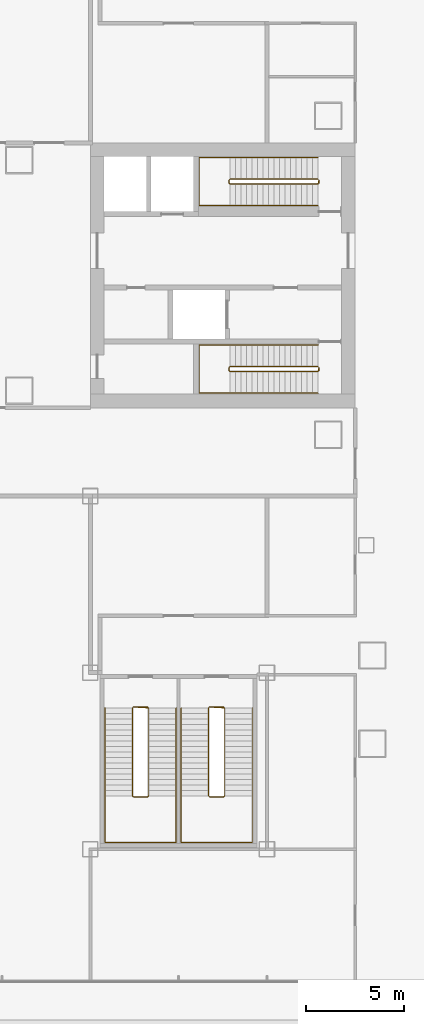
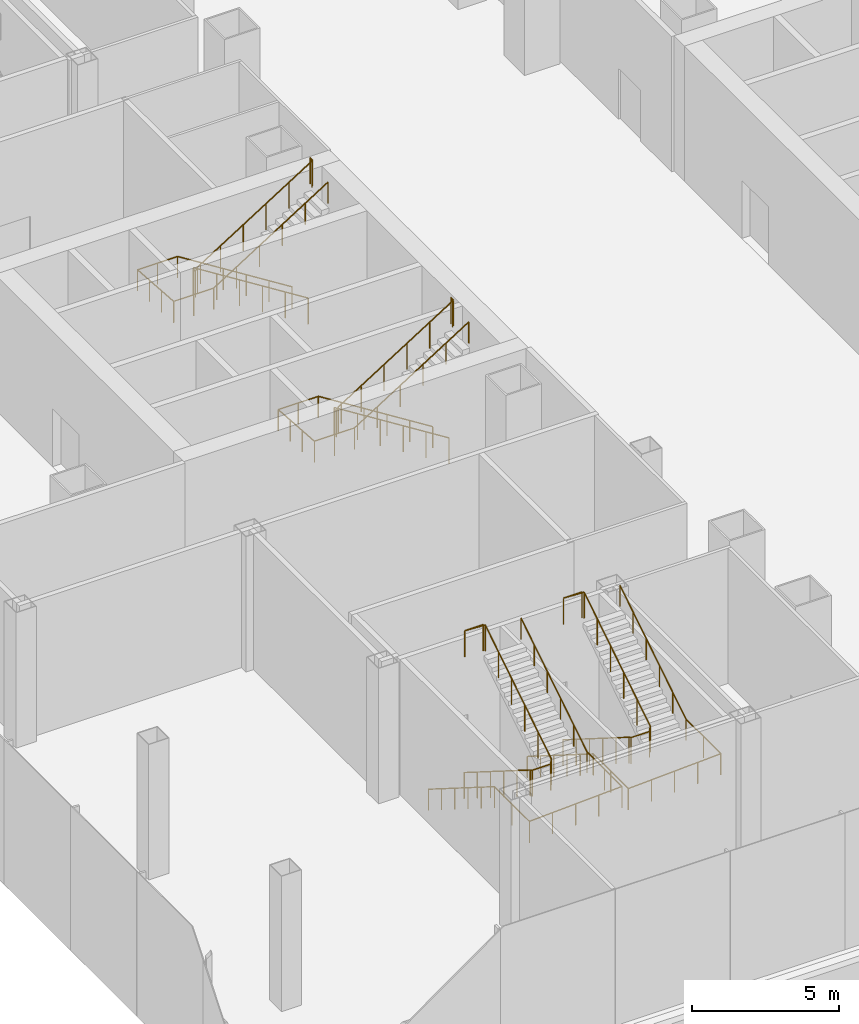
# One storey, part 34 of 38: 8 railings.
"""IFC4 building model written with IfcOpenShell, lengths in metres."""

from ifc_helpers import new_model, si_unit, direction, frame, origin, origin_2d, place, context, subcontext, project, spatial, circle, extrude, material, type_object, element, save


model = new_model("IFC4")

# Units and contexts
model_context = context("Model", 3, precision=1e-05, world=origin(), true_north=direction((0.0, 1.0)))
body_context = subcontext(model_context, "Body", "Model", "MODEL_VIEW")
ifc_project = project(units=[si_unit("LENGTHUNIT", "METRE"), si_unit("AREAUNIT", "SQUARE_METRE"), si_unit("VOLUMEUNIT", "CUBIC_METRE"), si_unit("PLANEANGLEUNIT", "RADIAN"), si_unit("MASSUNIT", "GRAM", prefix="KILO")], contexts=[model_context])

# Site, building, storey
site_placement = place(None, origin())
site = spatial("IfcSite", under=ifc_project, at=site_placement, CompositionType="ELEMENT")
building_placement = place(site_placement, origin())
building = spatial("IfcBuilding", under=site, at=building_placement, Name="Shamsa Quay Exchange Towers", CompositionType="ELEMENT")
storey_placement = place(building_placement, frame((0.0, 0.0, 12.5)))
storey = spatial("IfcBuildingStorey", under=building, at=storey_placement, Name="L02", CompositionType="ELEMENT", Elevation=12.5)

# Railings
ifc_material = material(Name="Stainless steel", Category="steel")
railing_type_1 = type_object("IfcRailingType", Name="STAIR GUARD 1100", PredefinedType="GUARDRAIL", material=ifc_material)
railing_1_placement = place(storey_placement, frame((-42.39990234375, -4.64990234375, 0.176513671875)))
element("IfcRailing", 1, at=railing_1_placement, inside=storey, type_object=railing_type_1, Name="L02 ST2 stair guard 1", PredefinedType="GUARDRAIL", context=body_context, shape_type="SweptSolid", body=[
    extrude(circle(Radius=0.02392578125, at=origin_2d()), frame((0.0, 0.0, 1.076171875), z_axis=(-0.845997938375, 0.0, 0.533186166611), x_axis=(0.0, -1.0, 0.0)), (0.0, 0.0, 1.0), 5.29541015625),
    extrude(circle(Radius=0.02392578125, at=origin_2d()), frame((-4.47998046875, 0.0, 3.8994140625), z_axis=(-0.707106781187, -0.707106781187, 0.0), x_axis=(0.707106781187, -0.707106781187, 0.0)), (0.0, 0.0, 1.0), 0.07080078125),
    extrude(circle(Radius=0.02392578125, at=origin_2d()), frame((-4.530029296875, -0.050048828125, 3.8994140625), z_axis=(0.0, -1.0, 0.0), x_axis=(1.0, 0.0, 0.0)), (0.0, 0.0, 1.0), 0.150146484375),
    extrude(circle(Radius=0.02392578125, at=origin_2d()), frame((-4.530029296875, -0.2001953125, 3.8994140625), z_axis=(0.263260079301, -0.261975883792, 0.928473352853), x_axis=(0.705375805398, 0.708833529934, 0.0)), (0.0, 0.0, 1.0), 0.190185546875),
    extrude(circle(Radius=0.02392578125, at=origin_2d()), frame((-4.47998046875, -0.25, 4.076171875), z_axis=(0.845997938375, 0.0, 0.533186166611), x_axis=(0.0, 1.0, 0.0)), (0.0, 0.0, 1.0), 5.29541015625),
    extrude(circle(Radius=0.02392578125, at=origin_2d()), frame((0.0, -0.25, 6.8994140625), z_axis=(0.241699205484, 0.970351222016, 0.0), x_axis=(-0.970351222016, 0.241699205484, 0.0)), (0.0, 0.0, 1.0), 0.2060546875),
    extrude(circle(Radius=0.02392578125, at=origin_2d()), frame((0.0498046875, -0.050048828125, 6.8994140625), z_axis=(0.0, -1.0, 0.0), x_axis=(1.0, 0.0, 0.0)), (0.0, 0.0, 1.0), 0.150146484375),
    extrude(circle(Radius=0.02099609375, at=origin_2d()), origin(), (0.0, 0.0, 1.0), 1.052001953125),
    extrude(circle(Radius=0.02099609375, at=origin_2d()), frame((-0.89599609375, 0.0, 0.564697265625)), (0.0, 0.0, 1.0), 1.052001953125),
    extrude(circle(Radius=0.02099609375, at=origin_2d()), frame((-1.7919921875, 0.0, 1.12939453125)), (0.0, 0.0, 1.0), 1.052001953125),
    extrude(circle(Radius=0.02099609375, at=origin_2d()), frame((-2.68798828125, 0.0, 1.694091796875)), (0.0, 0.0, 1.0), 1.052001953125),
    extrude(circle(Radius=0.02099609375, at=origin_2d()), frame((-3.583984375, 0.0, 2.2587890625)), (0.0, 0.0, 1.0), 1.052001953125),
    extrude(circle(Radius=0.02099609375, at=origin_2d()), frame((-4.47998046875, 0.0, 2.823486328125)), (0.0, 0.0, 1.0), 1.052001953125),
    extrude(circle(Radius=0.02099609375, at=origin_2d()), frame((-4.530029296875, -0.050048828125, 2.823486328125)), (0.0, 0.0, 1.0), 1.052001953125),
    extrude(circle(Radius=0.02099609375, at=origin_2d()), frame((-4.530029296875, -0.2001953125, 2.823486328125)), (0.0, 0.0, 1.0), 1.052001953125),
    extrude(circle(Radius=0.02099609375, at=origin_2d()), frame((-4.47998046875, -0.25, 3.0)), (0.0, 0.0, 1.0), 1.052001953125),
    extrude(circle(Radius=0.02099609375, at=origin_2d()), frame((-3.583984375, -0.25, 3.564697265625)), (0.0, 0.0, 1.0), 1.052001953125),
    extrude(circle(Radius=0.02099609375, at=origin_2d()), frame((-2.68798828125, -0.25, 4.12939453125)), (0.0, 0.0, 1.0), 1.052001953125),
    extrude(circle(Radius=0.02099609375, at=origin_2d()), frame((-1.7919921875, -0.25, 4.694091796875)), (0.0, 0.0, 1.0), 1.052001953125),
    extrude(circle(Radius=0.02099609375, at=origin_2d()), frame((-0.89599609375, -0.25, 5.2587890625)), (0.0, 0.0, 1.0), 1.052001953125),
    extrude(circle(Radius=0.02099609375, at=origin_2d()), frame((0.0, -0.25, 5.823486328125)), (0.0, 0.0, 1.0), 1.052001953125),
    extrude(circle(Radius=0.02099609375, at=origin_2d()), frame((0.0498046875, -0.050048828125, 5.823486328125)), (0.0, 0.0, 1.0), 1.052001953125),
    extrude(circle(Radius=0.02099609375, at=origin_2d()), frame((0.0498046875, -0.2001953125, 5.823486328125)), (0.0, 0.0, 1.0), 1.052001953125),
])
railing_2_placement = place(storey_placement, frame((-42.39990234375, 4.89990234375, 0.176513671875)))
element("IfcRailing", 2, at=railing_2_placement, inside=storey, type_object=railing_type_1, Name="L02 ST3 stair guard 1", PredefinedType="GUARDRAIL", context=body_context, shape_type="SweptSolid", body=[
    extrude(circle(Radius=0.02392578125, at=origin_2d()), frame((0.0, 0.0, 1.076171875), z_axis=(-0.845997938375, 0.0, 0.533186166611), x_axis=(0.0, -1.0, 0.0)), (0.0, 0.0, 1.0), 5.29541015625),
    extrude(circle(Radius=0.02392578125, at=origin_2d()), frame((-4.47998046875, 0.0, 3.8994140625), z_axis=(-0.708833529934, -0.705375805398, 0.0), x_axis=(0.705375805398, -0.708833529934, 0.0)), (0.0, 0.0, 1.0), 0.070556640625),
    extrude(circle(Radius=0.02392578125, at=origin_2d()), frame((-4.530029296875, -0.0498046875, 3.8994140625), z_axis=(0.0, -1.0, 0.0), x_axis=(1.0, 0.0, 0.0)), (0.0, 0.0, 1.0), 0.150146484375),
    extrude(circle(Radius=0.02392578125, at=origin_2d()), frame((-4.530029296875, -0.199951171875, 3.8994140625), z_axis=(0.263171338983, -0.263171338983, 0.928160380902), x_axis=(0.707106781187, 0.707106781187, 0.0)), (0.0, 0.0, 1.0), 0.190185546875),
    extrude(circle(Radius=0.02392578125, at=origin_2d()), frame((-4.47998046875, -0.25, 4.076171875), z_axis=(0.845997938375, 0.0, 0.533186166611), x_axis=(0.0, 1.0, 0.0)), (0.0, 0.0, 1.0), 5.29541015625),
    extrude(circle(Radius=0.02392578125, at=origin_2d()), frame((0.0, -0.25, 6.8994140625), z_axis=(0.24142163986, 0.970420317083, 0.0), x_axis=(-0.970420317083, 0.24142163986, 0.0)), (0.0, 0.0, 1.0), 0.206298828125),
    extrude(circle(Radius=0.02392578125, at=origin_2d()), frame((0.0498046875, -0.0498046875, 6.8994140625), z_axis=(0.0, -1.0, 0.0), x_axis=(1.0, 0.0, 0.0)), (0.0, 0.0, 1.0), 0.150146484375),
    extrude(circle(Radius=0.02099609375, at=origin_2d()), origin(), (0.0, 0.0, 1.0), 1.052001953125),
    extrude(circle(Radius=0.02099609375, at=origin_2d()), frame((-0.89599609375, 0.0, 0.564697265625)), (0.0, 0.0, 1.0), 1.052001953125),
    extrude(circle(Radius=0.02099609375, at=origin_2d()), frame((-1.7919921875, 0.0, 1.12939453125)), (0.0, 0.0, 1.0), 1.052001953125),
    extrude(circle(Radius=0.02099609375, at=origin_2d()), frame((-2.68798828125, 0.0, 1.694091796875)), (0.0, 0.0, 1.0), 1.052001953125),
    extrude(circle(Radius=0.02099609375, at=origin_2d()), frame((-3.583984375, 0.0, 2.2587890625)), (0.0, 0.0, 1.0), 1.052001953125),
    extrude(circle(Radius=0.02099609375, at=origin_2d()), frame((-4.47998046875, 0.0, 2.823486328125)), (0.0, 0.0, 1.0), 1.052001953125),
    extrude(circle(Radius=0.02099609375, at=origin_2d()), frame((-4.530029296875, -0.0498046875, 2.823486328125)), (0.0, 0.0, 1.0), 1.052001953125),
    extrude(circle(Radius=0.02099609375, at=origin_2d()), frame((-4.530029296875, -0.199951171875, 2.823486328125)), (0.0, 0.0, 1.0), 1.052001953125),
    extrude(circle(Radius=0.02099609375, at=origin_2d()), frame((-4.47998046875, -0.25, 3.0)), (0.0, 0.0, 1.0), 1.052001953125),
    extrude(circle(Radius=0.02099609375, at=origin_2d()), frame((-3.583984375, -0.25, 3.564697265625)), (0.0, 0.0, 1.0), 1.052001953125),
    extrude(circle(Radius=0.02099609375, at=origin_2d()), frame((-2.68798828125, -0.25, 4.12939453125)), (0.0, 0.0, 1.0), 1.052001953125),
    extrude(circle(Radius=0.02099609375, at=origin_2d()), frame((-1.7919921875, -0.25, 4.694091796875)), (0.0, 0.0, 1.0), 1.052001953125),
    extrude(circle(Radius=0.02099609375, at=origin_2d()), frame((-0.89599609375, -0.25, 5.2587890625)), (0.0, 0.0, 1.0), 1.052001953125),
    extrude(circle(Radius=0.02099609375, at=origin_2d()), frame((0.0, -0.25, 5.823486328125)), (0.0, 0.0, 1.0), 1.052001953125),
    extrude(circle(Radius=0.02099609375, at=origin_2d()), frame((0.0498046875, -0.0498046875, 5.823486328125)), (0.0, 0.0, 1.0), 1.052001953125),
    extrude(circle(Radius=0.02099609375, at=origin_2d()), frame((0.0498046875, -0.199951171875, 5.823486328125)), (0.0, 0.0, 1.0), 1.052001953125),
])
railing_3_placement = place(storey_placement, frame((-51.85009765625, -22.050048828125, 0.176513671875)))
element("IfcRailing", 3, at=railing_3_placement, inside=storey, type_object=railing_type_1, Name="L02 PS5A stair guard 1", PredefinedType="GUARDRAIL", context=body_context, shape_type="SweptSolid", body=[
    extrude(circle(Radius=0.02392578125, at=origin_2d()), frame((0.0, 0.0, 1.076171875), z_axis=(0.0, -0.845997938375, 0.533186166611), x_axis=(1.0, 0.0, 0.0)), (0.0, 0.0, 1.0), 5.29541015625),
    extrude(circle(Radius=0.02392578125, at=origin_2d()), frame((0.0, -4.47998046875, 3.8994140625), z_axis=(0.707106781187, -0.707106781187, 0.0), x_axis=(0.707106781187, 0.707106781187, 0.0)), (0.0, 0.0, 1.0), 0.07080078125),
    extrude(circle(Radius=0.02392578125, at=origin_2d()), frame((0.050048828125, -4.530029296875, 3.8994140625), z_axis=(1.0, 0.0, 0.0), x_axis=(0.0, 1.0, 0.0)), (0.0, 0.0, 1.0), 0.72509765625),
    extrude(circle(Radius=0.02392578125, at=origin_2d()), frame((0.775146484375, -4.530029296875, 3.8994140625), z_axis=(0.263171338983, 0.263171338983, 0.928160380902), x_axis=(-0.707106781187, 0.707106781187, 0.0)), (0.0, 0.0, 1.0), 0.190185546875),
    extrude(circle(Radius=0.02392578125, at=origin_2d()), frame((0.8251953125, -4.47998046875, 4.076171875), z_axis=(0.0, 0.845997938375, 0.533186166611), x_axis=(-1.0, 0.0, 0.0)), (0.0, 0.0, 1.0), 5.29541015625),
    extrude(circle(Radius=0.02392578125, at=origin_2d()), frame((0.8251953125, 0.0, 6.8994140625), z_axis=(-0.997922050633, 0.064432762324, 0.0), x_axis=(-0.064432762324, -0.997922050633, 0.0)), (0.0, 0.0, 1.0), 0.77685546875),
    extrude(circle(Radius=0.02392578125, at=origin_2d()), frame((0.050048828125, 0.050048828125, 6.8994140625), z_axis=(1.0, 0.0, 0.0), x_axis=(0.0, 1.0, 0.0)), (0.0, 0.0, 1.0), 0.72509765625),
    extrude(circle(Radius=0.02099609375, at=origin_2d()), origin(), (0.0, 0.0, 1.0), 1.052001953125),
    extrude(circle(Radius=0.02099609375, at=origin_2d()), frame((0.0, -0.89599609375, 0.564697265625)), (0.0, 0.0, 1.0), 1.052001953125),
    extrude(circle(Radius=0.02099609375, at=origin_2d()), frame((0.0, -1.7919921875, 1.12939453125)), (0.0, 0.0, 1.0), 1.052001953125),
    extrude(circle(Radius=0.02099609375, at=origin_2d()), frame((0.0, -2.68798828125, 1.694091796875)), (0.0, 0.0, 1.0), 1.052001953125),
    extrude(circle(Radius=0.02099609375, at=origin_2d()), frame((0.0, -3.583984375, 2.2587890625)), (0.0, 0.0, 1.0), 1.052001953125),
    extrude(circle(Radius=0.02099609375, at=origin_2d()), frame((0.0, -4.47998046875, 2.823486328125)), (0.0, 0.0, 1.0), 1.052001953125),
    extrude(circle(Radius=0.02099609375, at=origin_2d()), frame((0.050048828125, -4.530029296875, 2.823486328125)), (0.0, 0.0, 1.0), 1.052001953125),
    extrude(circle(Radius=0.02099609375, at=origin_2d()), frame((0.775146484375, -4.530029296875, 2.823486328125)), (0.0, 0.0, 1.0), 1.052001953125),
    extrude(circle(Radius=0.02099609375, at=origin_2d()), frame((0.8251953125, -4.47998046875, 3.0)), (0.0, 0.0, 1.0), 1.052001953125),
    extrude(circle(Radius=0.02099609375, at=origin_2d()), frame((0.8251953125, -3.583984375, 3.564697265625)), (0.0, 0.0, 1.0), 1.052001953125),
    extrude(circle(Radius=0.02099609375, at=origin_2d()), frame((0.8251953125, -2.68798828125, 4.12939453125)), (0.0, 0.0, 1.0), 1.052001953125),
    extrude(circle(Radius=0.02099609375, at=origin_2d()), frame((0.8251953125, -1.7919921875, 4.694091796875)), (0.0, 0.0, 1.0), 1.052001953125),
    extrude(circle(Radius=0.02099609375, at=origin_2d()), frame((0.8251953125, -0.89599609375, 5.2587890625)), (0.0, 0.0, 1.0), 1.052001953125),
    extrude(circle(Radius=0.02099609375, at=origin_2d()), frame((0.8251953125, 0.0, 5.823486328125)), (0.0, 0.0, 1.0), 1.052001953125),
    extrude(circle(Radius=0.02099609375, at=origin_2d()), frame((0.050048828125, 0.050048828125, 5.823486328125)), (0.0, 0.0, 1.0), 1.052001953125),
    extrude(circle(Radius=0.02099609375, at=origin_2d()), frame((0.775146484375, 0.050048828125, 5.823486328125)), (0.0, 0.0, 1.0), 1.052001953125),
])
railing_4_placement = place(storey_placement, frame((-47.97509765625, -22.050048828125, 0.176513671875)))
element("IfcRailing", 4, at=railing_4_placement, inside=storey, type_object=railing_type_1, Name="L02 PS5B stair guard 1", PredefinedType="GUARDRAIL", context=body_context, shape_type="SweptSolid", body=[
    extrude(circle(Radius=0.02392578125, at=origin_2d()), frame((0.0, 0.0, 1.076171875), z_axis=(0.0, -0.845997938375, 0.533186166611), x_axis=(1.0, 0.0, 0.0)), (0.0, 0.0, 1.0), 5.29541015625),
    extrude(circle(Radius=0.02392578125, at=origin_2d()), frame((0.0, -4.47998046875, 3.8994140625), z_axis=(0.707106781187, -0.707106781187, 0.0), x_axis=(0.707106781187, 0.707106781187, 0.0)), (0.0, 0.0, 1.0), 0.07080078125),
    extrude(circle(Radius=0.02392578125, at=origin_2d()), frame((0.050048828125, -4.530029296875, 3.8994140625), z_axis=(1.0, 0.0, 0.0), x_axis=(0.0, 1.0, 0.0)), (0.0, 0.0, 1.0), 0.72509765625),
    extrude(circle(Radius=0.02392578125, at=origin_2d()), frame((0.775146484375, -4.530029296875, 3.8994140625), z_axis=(0.263171338983, 0.263171338983, 0.928160380902), x_axis=(-0.707106781187, 0.707106781187, 0.0)), (0.0, 0.0, 1.0), 0.190185546875),
    extrude(circle(Radius=0.02392578125, at=origin_2d()), frame((0.8251953125, -4.47998046875, 4.076171875), z_axis=(0.0, 0.845997938375, 0.533186166611), x_axis=(-1.0, 0.0, 0.0)), (0.0, 0.0, 1.0), 5.29541015625),
    extrude(circle(Radius=0.02392578125, at=origin_2d()), frame((0.8251953125, 0.0, 6.8994140625), z_axis=(-0.997922050633, 0.064432762324, 0.0), x_axis=(-0.064432762324, -0.997922050633, 0.0)), (0.0, 0.0, 1.0), 0.77685546875),
    extrude(circle(Radius=0.02392578125, at=origin_2d()), frame((0.050048828125, 0.050048828125, 6.8994140625), z_axis=(1.0, 0.0, 0.0), x_axis=(0.0, 1.0, 0.0)), (0.0, 0.0, 1.0), 0.72509765625),
    extrude(circle(Radius=0.02099609375, at=origin_2d()), origin(), (0.0, 0.0, 1.0), 1.052001953125),
    extrude(circle(Radius=0.02099609375, at=origin_2d()), frame((0.0, -0.89599609375, 0.564697265625)), (0.0, 0.0, 1.0), 1.052001953125),
    extrude(circle(Radius=0.02099609375, at=origin_2d()), frame((0.0, -1.7919921875, 1.12939453125)), (0.0, 0.0, 1.0), 1.052001953125),
    extrude(circle(Radius=0.02099609375, at=origin_2d()), frame((0.0, -2.68798828125, 1.694091796875)), (0.0, 0.0, 1.0), 1.052001953125),
    extrude(circle(Radius=0.02099609375, at=origin_2d()), frame((0.0, -3.583984375, 2.2587890625)), (0.0, 0.0, 1.0), 1.052001953125),
    extrude(circle(Radius=0.02099609375, at=origin_2d()), frame((0.0, -4.47998046875, 2.823486328125)), (0.0, 0.0, 1.0), 1.052001953125),
    extrude(circle(Radius=0.02099609375, at=origin_2d()), frame((0.050048828125, -4.530029296875, 2.823486328125)), (0.0, 0.0, 1.0), 1.052001953125),
    extrude(circle(Radius=0.02099609375, at=origin_2d()), frame((0.775146484375, -4.530029296875, 2.823486328125)), (0.0, 0.0, 1.0), 1.052001953125),
    extrude(circle(Radius=0.02099609375, at=origin_2d()), frame((0.8251953125, -4.47998046875, 3.0)), (0.0, 0.0, 1.0), 1.052001953125),
    extrude(circle(Radius=0.02099609375, at=origin_2d()), frame((0.8251953125, -3.583984375, 3.564697265625)), (0.0, 0.0, 1.0), 1.052001953125),
    extrude(circle(Radius=0.02099609375, at=origin_2d()), frame((0.8251953125, -2.68798828125, 4.12939453125)), (0.0, 0.0, 1.0), 1.052001953125),
    extrude(circle(Radius=0.02099609375, at=origin_2d()), frame((0.8251953125, -1.7919921875, 4.694091796875)), (0.0, 0.0, 1.0), 1.052001953125),
    extrude(circle(Radius=0.02099609375, at=origin_2d()), frame((0.8251953125, -0.89599609375, 5.2587890625)), (0.0, 0.0, 1.0), 1.052001953125),
    extrude(circle(Radius=0.02099609375, at=origin_2d()), frame((0.8251953125, 0.0, 5.823486328125)), (0.0, 0.0, 1.0), 1.052001953125),
    extrude(circle(Radius=0.02099609375, at=origin_2d()), frame((0.050048828125, 0.050048828125, 5.823486328125)), (0.0, 0.0, 1.0), 1.052001953125),
    extrude(circle(Radius=0.02099609375, at=origin_2d()), frame((0.775146484375, 0.050048828125, 5.823486328125)), (0.0, 0.0, 1.0), 1.052001953125),
])
railing_type_2 = type_object("IfcRailingType", Name="STAIR HANDRAIL 900", PredefinedType="HANDRAIL", material=ifc_material)
railing_5_placement = place(storey_placement, frame((-42.39990234375, -3.550048828125, 0.176513671875)))
element("IfcRailing", 5, at=railing_5_placement, inside=storey, type_object=railing_type_2, Name="L02 ST2 stair handrail 1", PredefinedType="HANDRAIL", context=body_context, shape_type="SweptSolid", body=[
    extrude(circle(Radius=0.02392578125, at=origin_2d()), frame((0.0, 0.0, 0.8759765625), z_axis=(-0.845997938375, 0.0, 0.533186166611), x_axis=(0.0, -1.0, 0.0)), (0.0, 0.0, 1.0), 5.29541015625),
    extrude(circle(Radius=0.02392578125, at=origin_2d()), frame((-4.47998046875, 0.0, 3.69921875), z_axis=(-1.0, 0.0, 0.0), x_axis=(0.0, -1.0, 0.0)), (0.0, 0.0, 1.0), 1.570068359375),
    extrude(circle(Radius=0.02392578125, at=origin_2d()), frame((-6.050048828125, 0.0, 3.69921875), z_axis=(0.0, -0.997414615901, 0.071861561265), x_axis=(1.0, 0.0, 0.0)), (0.0, 0.0, 1.0), 2.456298828125),
    extrude(circle(Radius=0.02392578125, at=origin_2d()), frame((-6.050048828125, -2.449951171875, 3.8759765625), z_axis=(1.0, 0.0, 0.0), x_axis=(0.0, 1.0, 0.0)), (0.0, 0.0, 1.0), 1.570068359375),
    extrude(circle(Radius=0.02392578125, at=origin_2d()), frame((-4.47998046875, -2.449951171875, 3.8759765625), z_axis=(0.845997938375, 0.0, 0.533186166611), x_axis=(0.0, 1.0, 0.0)), (0.0, 0.0, 1.0), 5.29541015625),
    extrude(circle(Radius=0.02099609375, at=origin_2d()), origin(), (0.0, 0.0, 1.0), 0.851806640625),
    extrude(circle(Radius=0.02099609375, at=origin_2d()), frame((-0.89599609375, 0.0, 0.564697265625)), (0.0, 0.0, 1.0), 0.851806640625),
    extrude(circle(Radius=0.02099609375, at=origin_2d()), frame((-1.7919921875, 0.0, 1.12939453125)), (0.0, 0.0, 1.0), 0.851806640625),
    extrude(circle(Radius=0.02099609375, at=origin_2d()), frame((-2.68798828125, 0.0, 1.694091796875)), (0.0, 0.0, 1.0), 0.851806640625),
    extrude(circle(Radius=0.02099609375, at=origin_2d()), frame((-3.583984375, 0.0, 2.2587890625)), (0.0, 0.0, 1.0), 0.851806640625),
    extrude(circle(Radius=0.02099609375, at=origin_2d()), frame((-4.47998046875, 0.0, 2.823486328125)), (0.0, 0.0, 1.0), 0.851806640625),
    extrude(circle(Radius=0.02099609375, at=origin_2d()), frame((-5.26513671875, 0.0, 2.823486328125)), (0.0, 0.0, 1.0), 0.851806640625),
    extrude(circle(Radius=0.02099609375, at=origin_2d()), frame((-6.050048828125, 0.0, 2.823486328125)), (0.0, 0.0, 1.0), 0.851806640625),
    extrude(circle(Radius=0.02099609375, at=origin_2d()), frame((-6.050048828125, -0.816650390625, 2.88232421875)), (0.0, 0.0, 1.0), 0.851806640625),
    extrude(circle(Radius=0.02099609375, at=origin_2d()), frame((-6.050048828125, -1.63330078125, 2.941162109375)), (0.0, 0.0, 1.0), 0.851806640625),
    extrude(circle(Radius=0.02099609375, at=origin_2d()), frame((-6.050048828125, -2.449951171875, 3.0)), (0.0, 0.0, 1.0), 0.851806640625),
    extrude(circle(Radius=0.02099609375, at=origin_2d()), frame((-5.26513671875, -2.449951171875, 3.0)), (0.0, 0.0, 1.0), 0.851806640625),
    extrude(circle(Radius=0.02099609375, at=origin_2d()), frame((-4.47998046875, -2.449951171875, 3.0)), (0.0, 0.0, 1.0), 0.851806640625),
    extrude(circle(Radius=0.02099609375, at=origin_2d()), frame((-3.583984375, -2.449951171875, 3.564697265625)), (0.0, 0.0, 1.0), 0.851806640625),
    extrude(circle(Radius=0.02099609375, at=origin_2d()), frame((-2.68798828125, -2.449951171875, 4.12939453125)), (0.0, 0.0, 1.0), 0.851806640625),
    extrude(circle(Radius=0.02099609375, at=origin_2d()), frame((-1.7919921875, -2.449951171875, 4.694091796875)), (0.0, 0.0, 1.0), 0.851806640625),
    extrude(circle(Radius=0.02099609375, at=origin_2d()), frame((-0.89599609375, -2.449951171875, 5.2587890625)), (0.0, 0.0, 1.0), 0.851806640625),
    extrude(circle(Radius=0.02099609375, at=origin_2d()), frame((0.0, -2.449951171875, 5.823486328125)), (0.0, 0.0, 1.0), 0.851806640625),
])
railing_6_placement = place(storey_placement, frame((-42.39990234375, 6.0, 0.176513671875)))
element("IfcRailing", 6, at=railing_6_placement, inside=storey, type_object=railing_type_2, Name="L02 ST3 stair handrail 1", PredefinedType="HANDRAIL", context=body_context, shape_type="SweptSolid", body=[
    extrude(circle(Radius=0.02392578125, at=origin_2d()), frame((0.0, 0.0, 0.8759765625), z_axis=(-0.845997938375, 0.0, 0.533186166611), x_axis=(0.0, -1.0, 0.0)), (0.0, 0.0, 1.0), 5.29541015625),
    extrude(circle(Radius=0.02392578125, at=origin_2d()), frame((-4.47998046875, 0.0, 3.69921875), z_axis=(-1.0, 0.0, 0.0), x_axis=(0.0, -1.0, 0.0)), (0.0, 0.0, 1.0), 1.570068359375),
    extrude(circle(Radius=0.02392578125, at=origin_2d()), frame((-6.050048828125, 0.0, 3.69921875), z_axis=(0.0, -0.997414615901, 0.071861561265), x_axis=(1.0, 0.0, 0.0)), (0.0, 0.0, 1.0), 2.456298828125),
    extrude(circle(Radius=0.02392578125, at=origin_2d()), frame((-6.050048828125, -2.449951171875, 3.8759765625), z_axis=(1.0, 0.0, 0.0), x_axis=(0.0, 1.0, 0.0)), (0.0, 0.0, 1.0), 1.570068359375),
    extrude(circle(Radius=0.02392578125, at=origin_2d()), frame((-4.47998046875, -2.449951171875, 3.8759765625), z_axis=(0.845997938375, 0.0, 0.533186166611), x_axis=(0.0, 1.0, 0.0)), (0.0, 0.0, 1.0), 5.29541015625),
    extrude(circle(Radius=0.02099609375, at=origin_2d()), origin(), (0.0, 0.0, 1.0), 0.851806640625),
    extrude(circle(Radius=0.02099609375, at=origin_2d()), frame((-0.89599609375, 0.0, 0.564697265625)), (0.0, 0.0, 1.0), 0.851806640625),
    extrude(circle(Radius=0.02099609375, at=origin_2d()), frame((-1.7919921875, 0.0, 1.12939453125)), (0.0, 0.0, 1.0), 0.851806640625),
    extrude(circle(Radius=0.02099609375, at=origin_2d()), frame((-2.68798828125, 0.0, 1.694091796875)), (0.0, 0.0, 1.0), 0.851806640625),
    extrude(circle(Radius=0.02099609375, at=origin_2d()), frame((-3.583984375, 0.0, 2.2587890625)), (0.0, 0.0, 1.0), 0.851806640625),
    extrude(circle(Radius=0.02099609375, at=origin_2d()), frame((-4.47998046875, 0.0, 2.823486328125)), (0.0, 0.0, 1.0), 0.851806640625),
    extrude(circle(Radius=0.02099609375, at=origin_2d()), frame((-5.26513671875, 0.0, 2.823486328125)), (0.0, 0.0, 1.0), 0.851806640625),
    extrude(circle(Radius=0.02099609375, at=origin_2d()), frame((-6.050048828125, 0.0, 2.823486328125)), (0.0, 0.0, 1.0), 0.851806640625),
    extrude(circle(Radius=0.02099609375, at=origin_2d()), frame((-6.050048828125, -0.816650390625, 2.88232421875)), (0.0, 0.0, 1.0), 0.851806640625),
    extrude(circle(Radius=0.02099609375, at=origin_2d()), frame((-6.050048828125, -1.63330078125, 2.941162109375)), (0.0, 0.0, 1.0), 0.851806640625),
    extrude(circle(Radius=0.02099609375, at=origin_2d()), frame((-6.050048828125, -2.449951171875, 3.0)), (0.0, 0.0, 1.0), 0.851806640625),
    extrude(circle(Radius=0.02099609375, at=origin_2d()), frame((-5.26513671875, -2.449951171875, 3.0)), (0.0, 0.0, 1.0), 0.851806640625),
    extrude(circle(Radius=0.02099609375, at=origin_2d()), frame((-4.47998046875, -2.449951171875, 3.0)), (0.0, 0.0, 1.0), 0.851806640625),
    extrude(circle(Radius=0.02099609375, at=origin_2d()), frame((-3.583984375, -2.449951171875, 3.564697265625)), (0.0, 0.0, 1.0), 0.851806640625),
    extrude(circle(Radius=0.02099609375, at=origin_2d()), frame((-2.68798828125, -2.449951171875, 4.12939453125)), (0.0, 0.0, 1.0), 0.851806640625),
    extrude(circle(Radius=0.02099609375, at=origin_2d()), frame((-1.7919921875, -2.449951171875, 4.694091796875)), (0.0, 0.0, 1.0), 0.851806640625),
    extrude(circle(Radius=0.02099609375, at=origin_2d()), frame((-0.89599609375, -2.449951171875, 5.2587890625)), (0.0, 0.0, 1.0), 0.851806640625),
    extrude(circle(Radius=0.02099609375, at=origin_2d()), frame((0.0, -2.449951171875, 5.823486328125)), (0.0, 0.0, 1.0), 0.851806640625),
])
railing_7_placement = place(storey_placement, frame((-53.25, -22.050048828125, 0.176513671875)))
element("IfcRailing", 7, at=railing_7_placement, inside=storey, type_object=railing_type_2, Name="L02 PS5A stair handrail 1", PredefinedType="HANDRAIL", context=body_context, shape_type="SweptSolid", body=[
    extrude(circle(Radius=0.02392578125, at=origin_2d()), frame((0.0, 0.0, 0.8759765625), z_axis=(0.0, -0.845997938375, 0.533186166611), x_axis=(1.0, 0.0, 0.0)), (0.0, 0.0, 1.0), 5.29541015625),
    extrude(circle(Radius=0.02392578125, at=origin_2d()), frame((0.0, -4.47998046875, 3.69921875), z_axis=(0.0, -1.0, 0.0), x_axis=(1.0, 0.0, 0.0)), (0.0, 0.0, 1.0), 2.369873046875),
    extrude(circle(Radius=0.02392578125, at=origin_2d()), frame((0.0, -6.849853515625, 3.69921875), z_axis=(0.998816579144, 0.0, 0.048635801907), x_axis=(0.0, 1.0, 0.0)), (0.0, 0.0, 1.0), 3.62939453125),
    extrude(circle(Radius=0.02392578125, at=origin_2d()), frame((3.625, -6.849853515625, 3.8759765625), z_axis=(0.0, 1.0, 0.0), x_axis=(-1.0, 0.0, 0.0)), (0.0, 0.0, 1.0), 2.369873046875),
    extrude(circle(Radius=0.02392578125, at=origin_2d()), frame((3.625, -4.47998046875, 3.8759765625), z_axis=(0.0, 0.845997938375, 0.533186166611), x_axis=(-1.0, 0.0, 0.0)), (0.0, 0.0, 1.0), 5.29541015625),
    extrude(circle(Radius=0.02099609375, at=origin_2d()), origin(), (0.0, 0.0, 1.0), 0.851806640625),
    extrude(circle(Radius=0.02099609375, at=origin_2d()), frame((0.0, -0.89599609375, 0.564697265625)), (0.0, 0.0, 1.0), 0.851806640625),
    extrude(circle(Radius=0.02099609375, at=origin_2d()), frame((0.0, -1.7919921875, 1.12939453125)), (0.0, 0.0, 1.0), 0.851806640625),
    extrude(circle(Radius=0.02099609375, at=origin_2d()), frame((0.0, -2.68798828125, 1.694091796875)), (0.0, 0.0, 1.0), 0.851806640625),
    extrude(circle(Radius=0.02099609375, at=origin_2d()), frame((0.0, -3.583984375, 2.2587890625)), (0.0, 0.0, 1.0), 0.851806640625),
    extrude(circle(Radius=0.02099609375, at=origin_2d()), frame((0.0, -4.47998046875, 2.823486328125)), (0.0, 0.0, 1.0), 0.851806640625),
    extrude(circle(Radius=0.02099609375, at=origin_2d()), frame((0.0, -5.6650390625, 2.823486328125)), (0.0, 0.0, 1.0), 0.851806640625),
    extrude(circle(Radius=0.02099609375, at=origin_2d()), frame((0.0, -6.849853515625, 2.823486328125)), (0.0, 0.0, 1.0), 0.851806640625),
    extrude(circle(Radius=0.02099609375, at=origin_2d()), frame((0.90625, -6.849853515625, 2.86767578125)), (0.0, 0.0, 1.0), 0.851806640625),
    extrude(circle(Radius=0.02099609375, at=origin_2d()), frame((1.8125, -6.849853515625, 2.91162109375)), (0.0, 0.0, 1.0), 0.851806640625),
    extrude(circle(Radius=0.02099609375, at=origin_2d()), frame((2.71875, -6.849853515625, 2.955810546875)), (0.0, 0.0, 1.0), 0.851806640625),
    extrude(circle(Radius=0.02099609375, at=origin_2d()), frame((3.625, -6.849853515625, 3.0)), (0.0, 0.0, 1.0), 0.851806640625),
    extrude(circle(Radius=0.02099609375, at=origin_2d()), frame((3.625, -5.6650390625, 3.0)), (0.0, 0.0, 1.0), 0.851806640625),
    extrude(circle(Radius=0.02099609375, at=origin_2d()), frame((3.625, -4.47998046875, 3.0)), (0.0, 0.0, 1.0), 0.851806640625),
    extrude(circle(Radius=0.02099609375, at=origin_2d()), frame((3.625, -3.583984375, 3.564697265625)), (0.0, 0.0, 1.0), 0.851806640625),
    extrude(circle(Radius=0.02099609375, at=origin_2d()), frame((3.625, -2.68798828125, 4.12939453125)), (0.0, 0.0, 1.0), 0.851806640625),
    extrude(circle(Radius=0.02099609375, at=origin_2d()), frame((3.625, -1.7919921875, 4.694091796875)), (0.0, 0.0, 1.0), 0.851806640625),
    extrude(circle(Radius=0.02099609375, at=origin_2d()), frame((3.625, -0.89599609375, 5.2587890625)), (0.0, 0.0, 1.0), 0.851806640625),
    extrude(circle(Radius=0.02099609375, at=origin_2d()), frame((3.625, 0.0, 5.823486328125)), (0.0, 0.0, 1.0), 0.851806640625),
])
railing_8_placement = place(storey_placement, frame((-49.375, -22.050048828125, 0.176513671875)))
element("IfcRailing", 8, at=railing_8_placement, inside=storey, type_object=railing_type_2, Name="L02 PS5B stair handrail 1", PredefinedType="HANDRAIL", context=body_context, shape_type="SweptSolid", body=[
    extrude(circle(Radius=0.02392578125, at=origin_2d()), frame((0.0, 0.0, 0.8759765625), z_axis=(0.0, -0.845997938375, 0.533186166611), x_axis=(1.0, 0.0, 0.0)), (0.0, 0.0, 1.0), 5.29541015625),
    extrude(circle(Radius=0.02392578125, at=origin_2d()), frame((0.0, -4.47998046875, 3.69921875), z_axis=(0.0, -1.0, 0.0), x_axis=(1.0, 0.0, 0.0)), (0.0, 0.0, 1.0), 2.369873046875),
    extrude(circle(Radius=0.02392578125, at=origin_2d()), frame((0.0, -6.849853515625, 3.69921875), z_axis=(0.998816579144, 0.0, 0.048635801907), x_axis=(0.0, 1.0, 0.0)), (0.0, 0.0, 1.0), 3.62939453125),
    extrude(circle(Radius=0.02392578125, at=origin_2d()), frame((3.625, -6.849853515625, 3.8759765625), z_axis=(0.0, 1.0, 0.0), x_axis=(-1.0, 0.0, 0.0)), (0.0, 0.0, 1.0), 2.369873046875),
    extrude(circle(Radius=0.02392578125, at=origin_2d()), frame((3.625, -4.47998046875, 3.8759765625), z_axis=(0.0, 0.845997938375, 0.533186166611), x_axis=(-1.0, 0.0, 0.0)), (0.0, 0.0, 1.0), 5.29541015625),
    extrude(circle(Radius=0.02099609375, at=origin_2d()), origin(), (0.0, 0.0, 1.0), 0.851806640625),
    extrude(circle(Radius=0.02099609375, at=origin_2d()), frame((0.0, -0.89599609375, 0.564697265625)), (0.0, 0.0, 1.0), 0.851806640625),
    extrude(circle(Radius=0.02099609375, at=origin_2d()), frame((0.0, -1.7919921875, 1.12939453125)), (0.0, 0.0, 1.0), 0.851806640625),
    extrude(circle(Radius=0.02099609375, at=origin_2d()), frame((0.0, -2.68798828125, 1.694091796875)), (0.0, 0.0, 1.0), 0.851806640625),
    extrude(circle(Radius=0.02099609375, at=origin_2d()), frame((0.0, -3.583984375, 2.2587890625)), (0.0, 0.0, 1.0), 0.851806640625),
    extrude(circle(Radius=0.02099609375, at=origin_2d()), frame((0.0, -4.47998046875, 2.823486328125)), (0.0, 0.0, 1.0), 0.851806640625),
    extrude(circle(Radius=0.02099609375, at=origin_2d()), frame((0.0, -5.6650390625, 2.823486328125)), (0.0, 0.0, 1.0), 0.851806640625),
    extrude(circle(Radius=0.02099609375, at=origin_2d()), frame((0.0, -6.849853515625, 2.823486328125)), (0.0, 0.0, 1.0), 0.851806640625),
    extrude(circle(Radius=0.02099609375, at=origin_2d()), frame((0.90625, -6.849853515625, 2.86767578125)), (0.0, 0.0, 1.0), 0.851806640625),
    extrude(circle(Radius=0.02099609375, at=origin_2d()), frame((1.8125, -6.849853515625, 2.91162109375)), (0.0, 0.0, 1.0), 0.851806640625),
    extrude(circle(Radius=0.02099609375, at=origin_2d()), frame((2.71875, -6.849853515625, 2.955810546875)), (0.0, 0.0, 1.0), 0.851806640625),
    extrude(circle(Radius=0.02099609375, at=origin_2d()), frame((3.625, -6.849853515625, 3.0)), (0.0, 0.0, 1.0), 0.851806640625),
    extrude(circle(Radius=0.02099609375, at=origin_2d()), frame((3.625, -5.6650390625, 3.0)), (0.0, 0.0, 1.0), 0.851806640625),
    extrude(circle(Radius=0.02099609375, at=origin_2d()), frame((3.625, -4.47998046875, 3.0)), (0.0, 0.0, 1.0), 0.851806640625),
    extrude(circle(Radius=0.02099609375, at=origin_2d()), frame((3.625, -3.583984375, 3.564697265625)), (0.0, 0.0, 1.0), 0.851806640625),
    extrude(circle(Radius=0.02099609375, at=origin_2d()), frame((3.625, -2.68798828125, 4.12939453125)), (0.0, 0.0, 1.0), 0.851806640625),
    extrude(circle(Radius=0.02099609375, at=origin_2d()), frame((3.625, -1.7919921875, 4.694091796875)), (0.0, 0.0, 1.0), 0.851806640625),
    extrude(circle(Radius=0.02099609375, at=origin_2d()), frame((3.625, -0.89599609375, 5.2587890625)), (0.0, 0.0, 1.0), 0.851806640625),
    extrude(circle(Radius=0.02099609375, at=origin_2d()), frame((3.625, 0.0, 5.823486328125)), (0.0, 0.0, 1.0), 0.851806640625),
])

save(model, "model.ifc")
